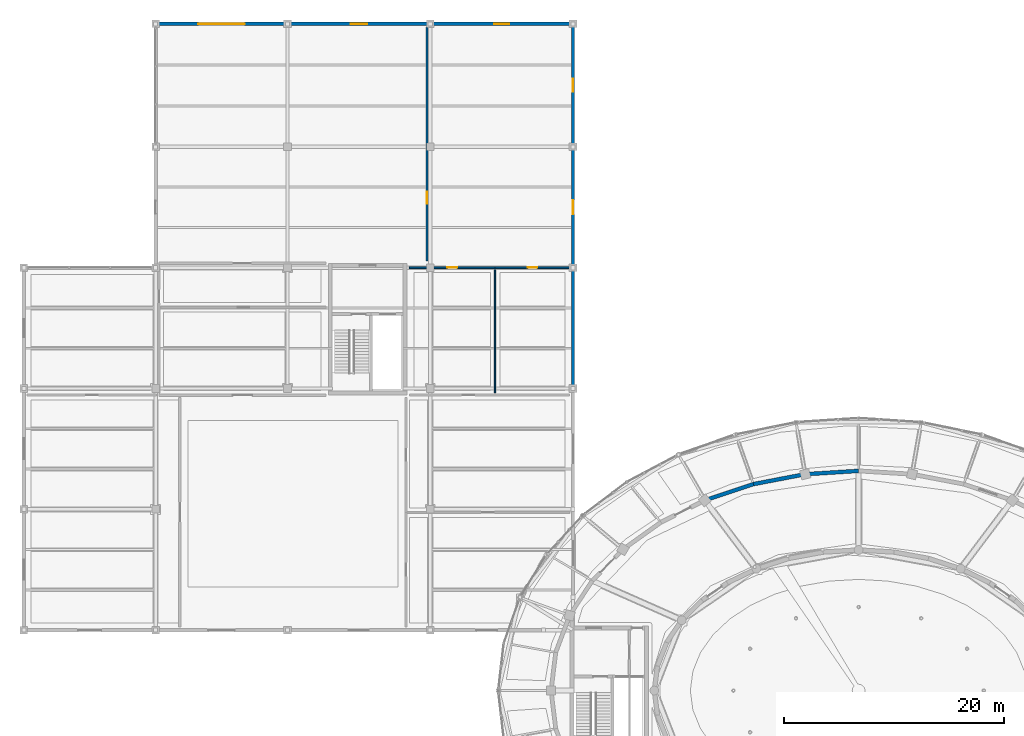
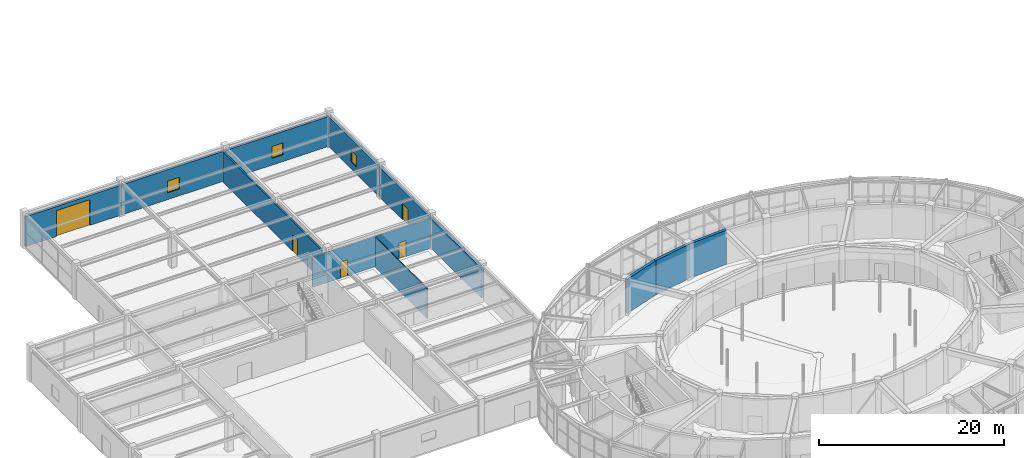
# One storey, part 91 of 108: 13 walls, 5 doors, 3 windows, 8 openings.
"""IFC4 building model written with IfcOpenShell, lengths in metres."""

from ifc_helpers import new_model, si_unit, direction, frame, frame_2d, origin, place, context, subcontext, project, spatial, rectangle, extrude, material, layer, layer_set, type_object, element, fill, save


model = new_model("IFC4")

# Units and contexts
model_context = context("Model", 3, precision=1e-05, world=origin(), true_north=direction((0.0, 1.0)))
body_context = subcontext(model_context, "Body", "Model", "MODEL_VIEW")
ifc_project = project(units=[si_unit("LENGTHUNIT", "METRE"), si_unit("AREAUNIT", "SQUARE_METRE"), si_unit("VOLUMEUNIT", "CUBIC_METRE"), si_unit("PLANEANGLEUNIT", "RADIAN"), si_unit("MASSUNIT", "GRAM", prefix="KILO")], contexts=[model_context])

# Site, building, storey
site_placement = place(None, origin())
site = spatial("IfcSite", under=ifc_project, at=site_placement, CompositionType="ELEMENT")
building_placement = place(site_placement, origin())
building = spatial("IfcBuilding", under=site, at=building_placement, Name="Tarnveldt Headland Concert Hall", CompositionType="ELEMENT")
storey_placement = place(building_placement, origin())
storey = spatial("IfcBuildingStorey", under=building, at=storey_placement, Name="L00", CompositionType="ELEMENT", Elevation=0.0)

# Walls
ifc_material_1 = material(Name="Concrete C40/50", Category="concrete")
ifc_layer_1 = layer(ifc_material_1, 0.35009765625, Name="Concrete C40/50", Category="concrete")
ifc_layer_set_1 = layer_set([ifc_layer_1], Name="Concrete C40/50")
wall_type_1 = type_object("IfcWallType", Name="WL-CR350", PredefinedType="SHEAR", material=ifc_layer_set_1)
wall_1_placement = place(storey_placement, frame((83.5, 74.5, 0.0), z_axis=(0.0, 0.0, 1.0), x_axis=(-0.998054722924, -0.06234396562, 0.0)))
element("IfcWall", 1, at=wall_1_placement, inside=storey, type_object=wall_type_1, Name="Symphony drum shear wall L00-10", PredefinedType="SHEAR", context=body_context, shape_type="SweptSolid", body=[
    extrude(rectangle(XDim=4.87158203125, YDim=0.35009765625, at=frame_2d((2.435791015625, 0.0))), origin(), (0.0, 0.0, 1.0), 4.52001953125),
])
wall_2_placement = place(storey_placement, frame((78.637939453125, 74.1962890625, 0.0), z_axis=(0.0, 0.0, 1.0), x_axis=(-0.982172578083, -0.187981453503, 0.0)))
element("IfcWall", 2, at=wall_2_placement, inside=storey, type_object=wall_type_1, Name="Symphony drum shear wall L00-11", PredefinedType="SHEAR", context=body_context, shape_type="SweptSolid", body=[
    extrude(rectangle(XDim=4.80029296875, YDim=0.35009765625, at=frame_2d((2.400146484375, 0.0))), origin(), (0.0, 0.0, 1.0), 4.52001953125),
])
wall_3_placement = place(storey_placement, frame((73.92333984375, 73.2939453125, 0.0), z_axis=(0.0, 0.0, 1.0), x_axis=(-0.948751350732, -0.316023534699, 0.0)))
element("IfcWall", 3, at=wall_3_placement, inside=storey, type_object=wall_type_1, Name="Symphony drum shear wall L00-12", PredefinedType="SHEAR", context=body_context, shape_type="SweptSolid", body=[
    extrude(rectangle(XDim=4.662353515625, YDim=0.35009765625, at=frame_2d((2.3310546875, 0.0))), origin(), (0.0, 0.0, 1.0), 4.52001953125),
])
ifc_material_2 = material(Name="Coral-toned precast concrete C40/50", Category="concrete")
ifc_layer_2 = layer(ifc_material_2, 0.300048828125, Name="Coral-toned precast concrete C40/50", Category="concrete")
ifc_layer_set_2 = layer_set([ifc_layer_2], Name="Coral-toned precast concrete C40/50")
wall_type_2 = type_object("IfcWallType", Name="WL-EX300", PredefinedType="SOLIDWALL", material=ifc_layer_set_2)
wall_4_placement = place(storey_placement, frame((57.5, 92.97998046875, 0.0), z_axis=(0.0, 0.0, 1.0), x_axis=(0.0, -1.0, 0.0)))
element("IfcWall", 4, at=wall_4_placement, inside=storey, type_object=wall_type_2, Name="External precast wall L00-270", PredefinedType="SOLIDWALL", context=body_context, shape_type="SweptSolid", body=[
    extrude(rectangle(XDim=10.9599609375, YDim=0.300048828125, at=frame_2d((5.47998046875, 0.0))), origin(), (0.0, 0.0, 1.0), 3.9580078125),
])

# Wall, opening, door
wall_5_placement = place(storey_placement, frame((57.5, 103.97998046875, 0.0), z_axis=(0.0, 0.0, 1.0), x_axis=(0.0, -1.0, 0.0)))
wall_5 = element("IfcWall", 5, at=wall_5_placement, inside=storey, type_object=wall_type_2, Name="External precast wall L00-271", PredefinedType="SOLIDWALL", context=body_context, shape_type="SweptSolid", body=[
    extrude(rectangle(XDim=10.9599609375, YDim=0.300048828125, at=frame_2d((5.47998046875, 0.0))), origin(), (0.0, 0.0, 1.0), 3.9580078125),
])
opening_1_placement = place(wall_5_placement, frame((4.830078125, 0.0, 0.0)))
opening_1 = element("IfcOpeningElement", 6, at=opening_1_placement, cuts=wall_5, Name="Opening SD-01", PredefinedType="OPENING", context=body_context, shape_type="SweptSolid", body=[
    extrude(rectangle(XDim=1.300048828125, YDim=2.14990234375, at=frame_2d((0.64990234375, 1.074951171875))), frame((0.0, 0.159912109375, 0.0), z_axis=(0.0, -1.0, 0.0), x_axis=(1.0, 0.0, 0.0)), (0.0, 0.0, 1.0), 0.320068359375),
])
ifc_material_3 = material(Name="Galvanised painted steel sheet", Category="steel")
door_type_1 = type_object("IfcDoorType", Name="DR-SV130", OperationType="NOTDEFINED", PredefinedType="DOOR", material=ifc_material_3)
door_1_placement = place(opening_1_placement, origin())
door_1 = element("IfcDoor", 7, at=door_1_placement, inside=storey, type_object=door_type_1, Name="Freight marshalling service exit door", OperationType="SINGLE_SWING_LEFT", OverallHeight=2.14990234375, OverallWidth=1.300048828125, PredefinedType="DOOR", context=body_context, shape_type="SweptSolid", body=[
    extrude(rectangle(XDim=1.300048828125, YDim=2.14990234375, at=frame_2d((0.64990234375, 1.074951171875))), frame((0.0, 0.02490234375, 0.0), z_axis=(0.0, -1.0, 0.0), x_axis=(1.0, 0.0, 0.0)), (0.0, 0.0, 1.0), 0.050048828125),
])
fill(opening_1, door_1)

# Wall, opening, window
wall_6_placement = place(storey_placement, frame((57.5, 115.179931640625, 0.0), z_axis=(0.0, 0.0, 1.0), x_axis=(0.0, -1.0, 0.0)))
wall_6 = element("IfcWall", 8, at=wall_6_placement, inside=storey, type_object=wall_type_2, Name="External precast wall L00-272", PredefinedType="SOLIDWALL", context=body_context, shape_type="SweptSolid", body=[
    extrude(rectangle(XDim=11.159912109375, YDim=0.300048828125, at=frame_2d((5.580078125, 0.0))), origin(), (0.0, 0.0, 1.0), 3.9580078125),
])
opening_2_placement = place(wall_6_placement, frame((4.97998046875, 0.0, 0.89990234375)))
opening_2 = element("IfcOpeningElement", 9, at=opening_2_placement, cuts=wall_6, Name="Opening W-R111", PredefinedType="OPENING", context=body_context, shape_type="SweptSolid", body=[
    extrude(rectangle(XDim=1.199951171875, YDim=1.550048828125, at=frame_2d((0.60009765625, 0.77490234375))), frame((0.0, 0.159912109375, 0.0), z_axis=(0.0, -1.0, 0.0), x_axis=(1.0, 0.0, 0.0)), (0.0, 0.0, 1.0), 0.320068359375),
])
ifc_material_4 = material(Name="Acoustic laminated low-iron double glazing", Category="glass")
window_type_1 = type_object("IfcWindowType", Name="WN-01", PartitioningType="SINGLE_PANEL", PredefinedType="WINDOW", material=ifc_material_4)
window_1_placement = place(opening_2_placement, origin())
window_1 = element("IfcWindow", 10, at=window_1_placement, inside=storey, type_object=window_type_1, Name="Rehearsal wing acoustic window L00-E5", OverallHeight=1.550048828125, OverallWidth=1.199951171875, PartitioningType="SINGLE_PANEL", PredefinedType="WINDOW", context=body_context, shape_type="SweptSolid", body=[
    extrude(rectangle(XDim=1.199951171875, YDim=1.550048828125, at=frame_2d((0.60009765625, 0.77490234375))), frame((0.0, 0.030029296875, 0.0), z_axis=(0.0, -1.0, 0.0), x_axis=(1.0, 0.0, 0.0)), (0.0, 0.0, 1.0), 0.06005859375),
])
fill(opening_2, window_1)

wall_7_placement = place(storey_placement, frame((44.52001953125, 115.199951171875, 0.0), z_axis=(0.0, 0.0, 1.0), x_axis=(1.0, 0.0, 0.0)))
wall_7 = element("IfcWall", 11, at=wall_7_placement, inside=storey, type_object=wall_type_2, Name="External precast wall L00-273", PredefinedType="SOLIDWALL", context=body_context, shape_type="SweptSolid", body=[
    extrude(rectangle(XDim=12.9599609375, YDim=0.300048828125, at=frame_2d((6.47998046875, 0.0))), origin(), (0.0, 0.0, 1.0), 3.9580078125),
])
opening_3_placement = place(wall_7_placement, frame((5.804931640625, 0.0, 0.89990234375)))
opening_3 = element("IfcOpeningElement", 12, at=opening_3_placement, cuts=wall_7, Name="Opening W-R112", PredefinedType="OPENING", context=body_context, shape_type="SweptSolid", body=[
    extrude(rectangle(XDim=1.35009765625, YDim=1.550048828125, at=frame_2d((0.675048828125, 0.77490234375))), frame((0.0, 0.159912109375, 0.0), z_axis=(0.0, -1.0, 0.0), x_axis=(1.0, 0.0, 0.0)), (0.0, 0.0, 1.0), 0.320068359375),
])
window_type_2 = type_object("IfcWindowType", Name="WN-02", PartitioningType="SINGLE_PANEL", PredefinedType="WINDOW", material=ifc_material_4)
window_2_placement = place(opening_3_placement, origin())
window_2 = element("IfcWindow", 13, at=window_2_placement, inside=storey, type_object=window_type_2, Name="Rehearsal wing acoustic window L00-N0", OverallHeight=1.550048828125, OverallWidth=1.35009765625, PartitioningType="SINGLE_PANEL", PredefinedType="WINDOW", context=body_context, shape_type="SweptSolid", body=[
    extrude(rectangle(XDim=1.35009765625, YDim=1.550048828125, at=frame_2d((0.675048828125, 0.77490234375))), frame((0.0, 0.030029296875, 0.0), z_axis=(0.0, -1.0, 0.0), x_axis=(1.0, 0.0, 0.0)), (0.0, 0.0, 1.0), 0.06005859375),
])
fill(opening_3, window_2)

wall_8_placement = place(storey_placement, frame((31.52001953125, 115.199951171875, 0.0), z_axis=(0.0, 0.0, 1.0), x_axis=(1.0, 0.0, 0.0)))
wall_8 = element("IfcWall", 14, at=wall_8_placement, inside=storey, type_object=wall_type_2, Name="External precast wall L00-274", PredefinedType="SOLIDWALL", context=body_context, shape_type="SweptSolid", body=[
    extrude(rectangle(XDim=12.9599609375, YDim=0.300048828125, at=frame_2d((6.47998046875, 0.0))), origin(), (0.0, 0.0, 1.0), 3.9580078125),
])
opening_4_placement = place(wall_8_placement, frame((5.72998046875, 0.0, 0.89990234375)))
opening_4 = element("IfcOpeningElement", 15, at=opening_4_placement, cuts=wall_8, Name="Opening W-R113", PredefinedType="OPENING", context=body_context, shape_type="SweptSolid", body=[
    extrude(rectangle(XDim=1.5, YDim=1.550048828125, at=frame_2d((0.75, 0.77490234375))), frame((0.0, 0.159912109375, 0.0), z_axis=(0.0, -1.0, 0.0), x_axis=(1.0, 0.0, 0.0)), (0.0, 0.0, 1.0), 0.320068359375),
])
window_type_3 = type_object("IfcWindowType", Name="WN-03", PartitioningType="SINGLE_PANEL", PredefinedType="WINDOW", material=ifc_material_4)
window_3_placement = place(opening_4_placement, origin())
window_3 = element("IfcWindow", 16, at=window_3_placement, inside=storey, type_object=window_type_3, Name="Rehearsal wing acoustic window L00-N1", OverallHeight=1.550048828125, OverallWidth=1.5, PartitioningType="SINGLE_PANEL", PredefinedType="WINDOW", context=body_context, shape_type="SweptSolid", body=[
    extrude(rectangle(XDim=1.5, YDim=1.550048828125, at=frame_2d((0.75, 0.77490234375))), frame((0.0, 0.030029296875, 0.0), z_axis=(0.0, -1.0, 0.0), x_axis=(1.0, 0.0, 0.0)), (0.0, 0.0, 1.0), 0.06005859375),
])
fill(opening_4, window_3)

# Wall, opening, door
wall_9_placement = place(storey_placement, frame((19.52001953125, 115.199951171875, 0.0), z_axis=(0.0, 0.0, 1.0), x_axis=(1.0, 0.0, 0.0)))
wall_9 = element("IfcWall", 17, at=wall_9_placement, inside=storey, type_object=wall_type_2, Name="External precast wall L00-275", PredefinedType="SOLIDWALL", context=body_context, shape_type="SweptSolid", body=[
    extrude(rectangle(XDim=11.9599609375, YDim=0.300048828125, at=frame_2d((5.97998046875, 0.0))), origin(), (0.0, 0.0, 1.0), 3.9580078125),
])
opening_5_placement = place(wall_9_placement, frame((3.8798828125, 0.0, 0.0)))
opening_5 = element("IfcOpeningElement", 18, at=opening_5_placement, cuts=wall_9, Name="Opening VG-01", PredefinedType="OPENING", context=body_context, shape_type="SweptSolid", body=[
    extrude(rectangle(XDim=4.199951171875, YDim=3.39990234375, at=frame_2d((2.10009765625, 1.699951171875))), frame((0.0, 0.159912109375, 0.0), z_axis=(0.0, -1.0, 0.0), x_axis=(1.0, 0.0, 0.0)), (0.0, 0.0, 1.0), 0.320068359375),
])
door_type_2 = type_object("IfcDoorType", Name="VG-420", OperationType="NOTDEFINED", PredefinedType="GATE", material=ifc_material_3)
door_2_placement = place(opening_5_placement, origin())
door_2 = element("IfcDoor", 19, at=door_2_placement, inside=storey, type_object=door_type_2, Name="Acoustic scene dock roller shutter door VG-01", OperationType="ROLLINGUP", OverallHeight=3.39990234375, OverallWidth=4.199951171875, PredefinedType="GATE", context=body_context, shape_type="SweptSolid", body=[
    extrude(rectangle(XDim=4.199951171875, YDim=3.39990234375, at=frame_2d((2.10009765625, 1.699951171875))), frame((0.0, 0.02490234375, 0.0), z_axis=(0.0, -1.0, 0.0), x_axis=(1.0, 0.0, 0.0)), (0.0, 0.0, 1.0), 0.050048828125),
])
fill(opening_5, door_2)

# Wall
ifc_material_5 = material(Name="Acoustic multi-layer gypsum and mineral-wool partition", Category="gypsum")
ifc_layer_3 = layer(ifc_material_5, 0.1201171875, Name="Acoustic multi-layer gypsum and mineral-wool partition", Category="gypsum")
ifc_layer_set_3 = layer_set([ifc_layer_3], Name="Acoustic multi-layer gypsum and mineral-wool partition")
wall_type_3 = type_object("IfcWallType", Name="WL-PT120", PredefinedType="PARTITIONING", material=ifc_layer_set_3)
wall_10_placement = place(storey_placement, frame((50.39990234375, 81.60009765625, 0.0), z_axis=(0.0, 0.0, 1.0), x_axis=(0.0, 1.0, 0.0)))
element("IfcWall", 20, at=wall_10_placement, inside=storey, type_object=wall_type_3, Name="Interior acoustic partition L00-69", PredefinedType="PARTITIONING", context=body_context, shape_type="SweptSolid", body=[
    extrude(rectangle(XDim=11.199951171875, YDim=0.1201171875, at=frame_2d((5.60009765625, 0.0))), origin(), (0.0, 0.0, 1.0), 3.9599609375),
])

# Wall, opening, door
ifc_layer_4 = layer(ifc_material_5, 0.1650390625, Name="Acoustic multi-layer gypsum and mineral-wool partition", Category="gypsum")
ifc_layer_set_4 = layer_set([ifc_layer_4], Name="Acoustic multi-layer gypsum and mineral-wool partition")
wall_type_4 = type_object("IfcWallType", Name="WL-PT165", PredefinedType="PARTITIONING", material=ifc_layer_set_4)
wall_11_placement = place(storey_placement, frame((42.60009765625, 93.0, 0.0), z_axis=(0.0, 0.0, 1.0), x_axis=(1.0, 0.0, 0.0)))
wall_11 = element("IfcWall", 21, at=wall_11_placement, inside=storey, type_object=wall_type_4, Name="Interior acoustic partition L00-67", PredefinedType="PARTITIONING", context=body_context, shape_type="SweptSolid", body=[
    extrude(rectangle(XDim=7.7998046875, YDim=0.1650390625, at=frame_2d((3.89990234375, 0.0))), origin(), (0.0, 0.0, 1.0), 3.9599609375),
])
opening_6_placement = place(wall_11_placement, frame((3.43994140625, 0.0, 0.0)))
opening_6 = element("IfcOpeningElement", 22, at=opening_6_placement, cuts=wall_11, Name="Opening D-L00-094", PredefinedType="OPENING", context=body_context, shape_type="SweptSolid", body=[
    extrude(rectangle(XDim=0.919921875, YDim=2.10009765625, at=frame_2d((0.4599609375, 1.050048828125))), frame((0.0, 0.092529296875, 0.0), z_axis=(0.0, -1.0, 0.0), x_axis=(1.0, 0.0, 0.0)), (0.0, 0.0, 1.0), 0.18505859375),
])
ifc_material_6 = material(Name="Treated East African mvule hardwood", Category="wood")
door_type_3 = type_object("IfcDoorType", Name="DR-WC092", OperationType="NOTDEFINED", PredefinedType="DOOR", material=ifc_material_6)
door_3_placement = place(opening_6_placement, origin())
door_3 = element("IfcDoor", 23, at=door_3_placement, inside=storey, type_object=door_type_3, Name="Interior room door L00-94", OperationType="SINGLE_SWING_RIGHT", OverallHeight=2.10009765625, OverallWidth=0.919921875, PredefinedType="DOOR", context=body_context, shape_type="SweptSolid", body=[
    extrude(rectangle(XDim=0.919921875, YDim=2.10009765625, at=frame_2d((0.4599609375, 1.050048828125))), frame((0.0, 0.02490234375, 0.0), z_axis=(0.0, -1.0, 0.0), x_axis=(1.0, 0.0, 0.0)), (0.0, 0.0, 1.0), 0.050048828125),
])
fill(opening_6, door_3)

wall_12_placement = place(storey_placement, frame((50.39990234375, 93.0, 0.0), z_axis=(0.0, 0.0, 1.0), x_axis=(1.0, 0.0, 0.0)))
wall_12 = element("IfcWall", 24, at=wall_12_placement, inside=storey, type_object=wall_type_4, Name="Interior acoustic partition L00-68", PredefinedType="PARTITIONING", context=body_context, shape_type="SweptSolid", body=[
    extrude(rectangle(XDim=6.800048828125, YDim=0.1650390625, at=frame_2d((3.39990234375, 0.0))), origin(), (0.0, 0.0, 1.0), 3.9599609375),
])
opening_7_placement = place(wall_12_placement, frame((2.9599609375, 0.0, 0.0)))
opening_7 = element("IfcOpeningElement", 25, at=opening_7_placement, cuts=wall_12, Name="Opening D-L00-095", PredefinedType="OPENING", context=body_context, shape_type="SweptSolid", body=[
    extrude(rectangle(XDim=0.8798828125, YDim=2.10009765625, at=frame_2d((0.43994140625, 1.050048828125))), frame((0.0, 0.092529296875, 0.0), z_axis=(0.0, -1.0, 0.0), x_axis=(1.0, 0.0, 0.0)), (0.0, 0.0, 1.0), 0.18505859375),
])
door_type_4 = type_object("IfcDoorType", Name="DR-WC088", OperationType="NOTDEFINED", PredefinedType="DOOR", material=ifc_material_6)
door_4_placement = place(opening_7_placement, origin())
door_4 = element("IfcDoor", 26, at=door_4_placement, inside=storey, type_object=door_type_4, Name="Interior room door L00-95", OperationType="SINGLE_SWING_LEFT", OverallHeight=2.10009765625, OverallWidth=0.8798828125, PredefinedType="DOOR", context=body_context, shape_type="SweptSolid", body=[
    extrude(rectangle(XDim=0.8798828125, YDim=2.10009765625, at=frame_2d((0.43994140625, 1.050048828125))), frame((0.0, 0.02490234375, 0.0), z_axis=(0.0, -1.0, 0.0), x_axis=(1.0, 0.0, 0.0)), (0.0, 0.0, 1.0), 0.050048828125),
])
fill(opening_7, door_4)

ifc_layer_5 = layer(ifc_material_5, 0.18505859375, Name="Acoustic multi-layer gypsum and mineral-wool partition", Category="gypsum")
ifc_layer_set_5 = layer_set([ifc_layer_5], Name="Acoustic multi-layer gypsum and mineral-wool partition")
wall_type_5 = type_object("IfcWallType", Name="WL-PT185", PredefinedType="PARTITIONING", material=ifc_layer_set_5)
wall_13_placement = place(storey_placement, frame((44.199951171875, 93.60009765625, 0.0), z_axis=(0.0, 0.0, 1.0), x_axis=(0.0, 1.0, 0.0)))
wall_13 = element("IfcWall", 27, at=wall_13_placement, inside=storey, type_object=wall_type_5, Name="Interior acoustic partition L00-71", PredefinedType="PARTITIONING", context=body_context, shape_type="SweptSolid", body=[
    extrude(rectangle(XDim=21.2998046875, YDim=0.18505859375, at=frame_2d((10.64990234375, 0.0))), origin(), (0.0, 0.0, 1.0), 3.9599609375),
])
opening_8_placement = place(wall_13_placement, frame((5.22998046875, 0.0, 0.0)))
opening_8 = element("IfcOpeningElement", 28, at=opening_8_placement, cuts=wall_13, Name="Opening D-L00-097", PredefinedType="OPENING", context=body_context, shape_type="SweptSolid", body=[
    extrude(rectangle(XDim=1.10009765625, YDim=2.14990234375, at=frame_2d((0.550048828125, 1.074951171875))), frame((0.0, 0.1025390625, 0.0), z_axis=(0.0, -1.0, 0.0), x_axis=(1.0, 0.0, 0.0)), (0.0, 0.0, 1.0), 0.205078125),
])
door_type_5 = type_object("IfcDoorType", Name="DR-RM110", OperationType="NOTDEFINED", PredefinedType="DOOR", material=ifc_material_6)
door_5_placement = place(opening_8_placement, origin())
door_5 = element("IfcDoor", 29, at=door_5_placement, inside=storey, type_object=door_type_5, Name="Interior room door L00-97", OperationType="SINGLE_SWING_LEFT", OverallHeight=2.14990234375, OverallWidth=1.10009765625, PredefinedType="DOOR", context=body_context, shape_type="SweptSolid", body=[
    extrude(rectangle(XDim=1.10009765625, YDim=2.14990234375, at=frame_2d((0.550048828125, 1.074951171875))), frame((0.0, 0.02490234375, 0.0), z_axis=(0.0, -1.0, 0.0), x_axis=(1.0, 0.0, 0.0)), (0.0, 0.0, 1.0), 0.050048828125),
])
fill(opening_8, door_5)

save(model, "model.ifc")
